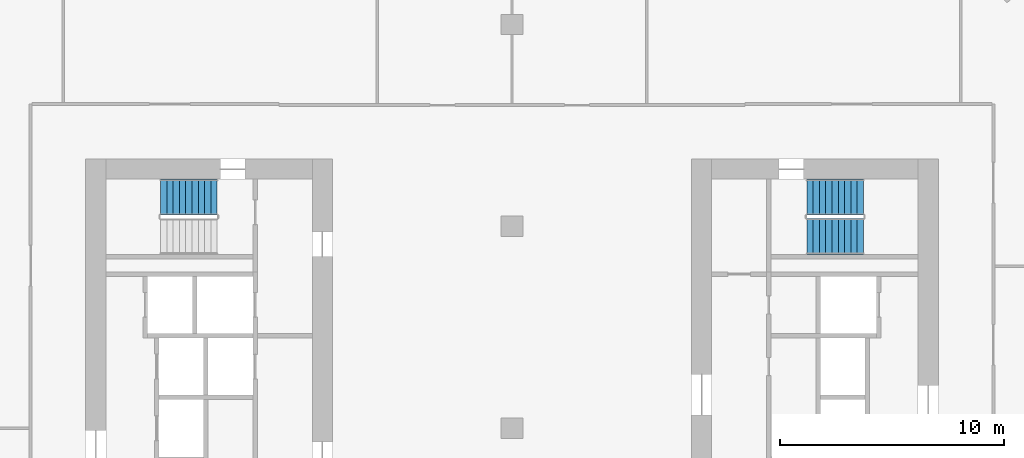
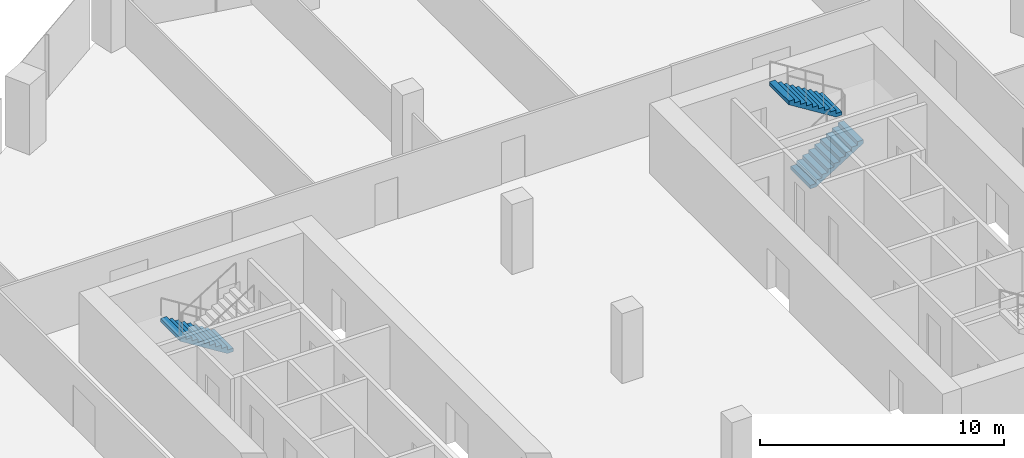
# One storey, part 23 of 25: 3 stair flights, 2 elements without a shape of their own.
"""IFC4 building model written with IfcOpenShell, lengths in metres."""

from ifc_helpers import new_model, si_unit, direction, frame, origin, place, context, subcontext, project, spatial, polyline, outline, extrude, material, type_object, element, aggregate, save


model = new_model("IFC4")

# Units and contexts
model_context = context("Model", 3, precision=1e-05, world=origin(), true_north=direction((0.0, 1.0)))
body_context = subcontext(model_context, "Body", "Model", "MODEL_VIEW")
ifc_project = project(units=[si_unit("LENGTHUNIT", "METRE"), si_unit("AREAUNIT", "SQUARE_METRE"), si_unit("VOLUMEUNIT", "CUBIC_METRE"), si_unit("PLANEANGLEUNIT", "RADIAN"), si_unit("MASSUNIT", "GRAM", prefix="KILO")], contexts=[model_context])

# Site, building, storey
site_placement = place(None, origin())
site = spatial("IfcSite", under=ifc_project, at=site_placement, CompositionType="ELEMENT")
building_placement = place(site_placement, origin())
building = spatial("IfcBuilding", under=site, at=building_placement, Name="Orlundy Tower", CompositionType="ELEMENT")
storey_placement = place(building_placement, frame((0.0, 0.0, 159.60009765625)))
storey = spatial("IfcBuildingStorey", under=building, at=storey_placement, Name="L41", CompositionType="ELEMENT", Elevation=159.60009765625)

# Stair, stair flight
ifc_material_1 = material(Name="Concrete C50/60", Category="concrete")
stair_type = type_object("IfcStairType", Name="Exit Stair 20 risers", PredefinedType="HALF_TURN_STAIR", material=ifc_material_1)
stair_1_placement = place(storey_placement, origin())
stair_1 = element("IfcStair", 1, at=stair_1_placement, inside=storey, type_object=stair_type, Name="L41 Exit Stair ST-W1", PredefinedType="HALF_TURN_STAIR")
ifc_material_2 = material(Name="Concrete C50/60", Category="concrete")
stair_flight_type = type_object("IfcStairFlightType", Name="Stair Flight 10 risers", PredefinedType="STRAIGHT", material=ifc_material_2)
stair_flight_1_placement = place(storey_placement, frame((-13.139892578125, 10.300048828125, 0.0), z_axis=(0.0, 0.0, 1.0), x_axis=(-1.0, 0.0, 0.0)))
stair_flight_1 = element("IfcStairFlight", 2, at=stair_flight_1_placement, type_object=stair_flight_type, Name="ST-W1 flight 1", NumberOfRisers=10, NumberOfTreads=9, PredefinedType="STRAIGHT", RiserHeight=0.175, TreadLength=0.28, context=body_context, shape_type="SweptSolid", body=[
    extrude(outline(polyline([(0.0, 0.0), (0.0, 0.175048828125), (0.280029296875, 0.175048828125), (0.280029296875, 0.35009765625), (0.56005859375, 0.35009765625), (0.56005859375, 0.52490234375), (0.840087890625, 0.52490234375), (0.840087890625, 0.699951171875), (1.1201171875, 0.699951171875), (1.1201171875, 0.875), (1.39990234375, 0.875), (1.39990234375, 1.050048828125), (1.679931640625, 1.050048828125), (1.679931640625, 1.22509765625), (1.9599609375, 1.22509765625), (1.9599609375, 1.39990234375), (2.239990234375, 1.39990234375), (2.239990234375, 1.574951171875), (2.52001953125, 1.574951171875), (2.52001953125, 1.75), (2.52001953125, 1.398193359375), (0.28271484375, 0.0), (0.0, 0.0)])), frame((0.0, 0.800048828125, 0.0), z_axis=(0.0, -1.0, 0.0), x_axis=(1.0, 0.0, 0.0)), (0.0, 0.0, 1.0), 1.60009765625),
])
aggregate(stair_1, [stair_flight_1])

# Stair, stair flights
stair_2_placement = place(storey_placement, origin())
stair_2 = element("IfcStair", 3, at=stair_2_placement, inside=storey, type_object=stair_type, Name="L41 Exit Stair ST-E2", PredefinedType="HALF_TURN_STAIR")
stair_flight_2_placement = place(storey_placement, frame((13.139892578125, 8.550048828125, 0.0), z_axis=(0.0, 0.0, 1.0), x_axis=(1.0, 0.0, 0.0)))
stair_flight_2 = element("IfcStairFlight", 4, at=stair_flight_2_placement, type_object=stair_flight_type, Name="ST-E2 flight 1", NumberOfRisers=10, NumberOfTreads=9, PredefinedType="STRAIGHT", RiserHeight=0.175, TreadLength=0.28, context=body_context, shape_type="SweptSolid", body=[
    extrude(outline(polyline([(0.0, 0.0), (0.0, 0.175048828125), (0.280029296875, 0.175048828125), (0.280029296875, 0.35009765625), (0.56005859375, 0.35009765625), (0.56005859375, 0.52490234375), (0.840087890625, 0.52490234375), (0.840087890625, 0.699951171875), (1.1201171875, 0.699951171875), (1.1201171875, 0.875), (1.39990234375, 0.875), (1.39990234375, 1.050048828125), (1.679931640625, 1.050048828125), (1.679931640625, 1.22509765625), (1.9599609375, 1.22509765625), (1.9599609375, 1.39990234375), (2.239990234375, 1.39990234375), (2.239990234375, 1.574951171875), (2.52001953125, 1.574951171875), (2.52001953125, 1.75), (2.52001953125, 1.398193359375), (0.28271484375, 0.0), (0.0, 0.0)])), frame((0.0, 0.800048828125, 0.0), z_axis=(0.0, -1.0, 0.0), x_axis=(1.0, 0.0, 0.0)), (0.0, 0.0, 1.0), 1.60009765625),
])
stair_flight_3_placement = place(storey_placement, frame((15.659912109375, 10.300048828125, 1.75), z_axis=(0.0, 0.0, 1.0), x_axis=(-1.0, 0.0, 0.0)))
stair_flight_3 = element("IfcStairFlight", 5, at=stair_flight_3_placement, type_object=stair_flight_type, Name="ST-E2 flight 2", NumberOfRisers=10, NumberOfTreads=9, PredefinedType="STRAIGHT", RiserHeight=0.175, TreadLength=0.28, context=body_context, shape_type="SweptSolid", body=[
    extrude(outline(polyline([(0.0, 0.0), (0.0, 0.175048828125), (0.280029296875, 0.175048828125), (0.280029296875, 0.35009765625), (0.56005859375, 0.35009765625), (0.56005859375, 0.52490234375), (0.840087890625, 0.52490234375), (0.840087890625, 0.699951171875), (1.1201171875, 0.699951171875), (1.1201171875, 0.875), (1.39990234375, 0.875), (1.39990234375, 1.050048828125), (1.679931640625, 1.050048828125), (1.679931640625, 1.22509765625), (1.9599609375, 1.22509765625), (1.9599609375, 1.39990234375), (2.239990234375, 1.39990234375), (2.239990234375, 1.574951171875), (2.52001953125, 1.574951171875), (2.52001953125, 1.75), (2.52001953125, 1.398193359375), (0.28271484375, 0.0), (0.0, 0.0)])), frame((0.0, 0.800048828125, 0.0), z_axis=(0.0, -1.0, 0.0), x_axis=(1.0, 0.0, 0.0)), (0.0, 0.0, 1.0), 1.60009765625),
])
aggregate(stair_2, [stair_flight_2, stair_flight_3])

save(model, "model.ifc")
